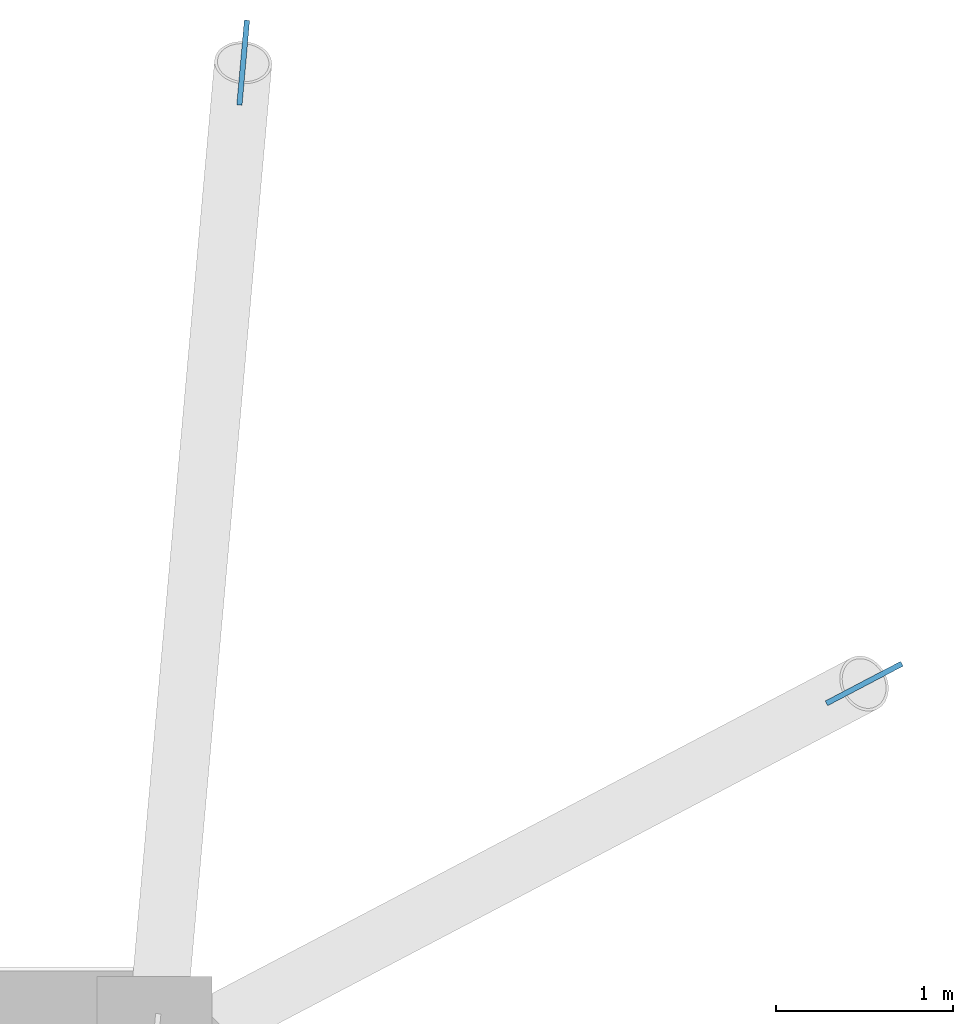
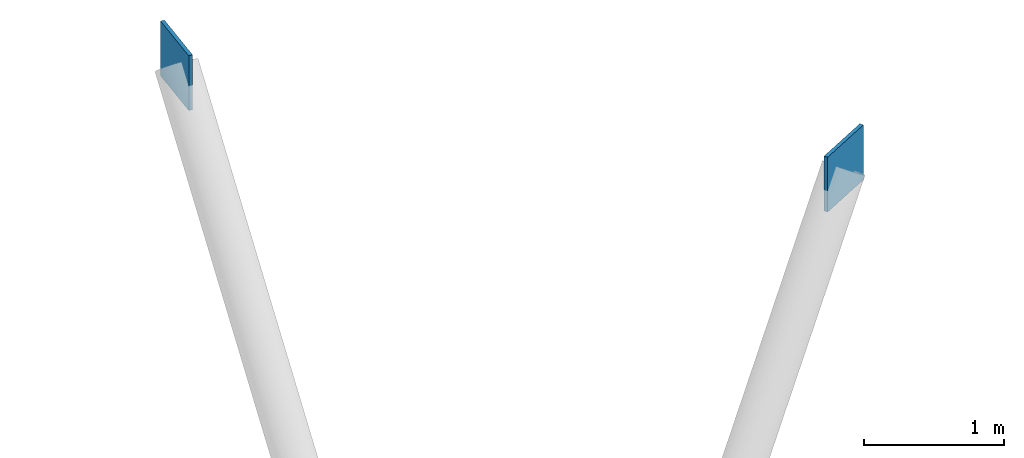
# One storey, part 4 of 11: 2 plates.
"""IFC4 building model written with IfcOpenShell, lengths in metres."""

from ifc_helpers import new_model, si_unit, direction, frame, origin, origin_2d, place, context, subcontext, project, spatial, rectangle, extrude, material, layer, layer_set, type_object, element, save


model = new_model("IFC4")

# Units and contexts
model_context = context("Model", 3, precision=1e-05, world=origin(), true_north=direction((0.0, 1.0)))
body_context = subcontext(model_context, "Body", "Model", "MODEL_VIEW")
ifc_project = project(units=[si_unit("LENGTHUNIT", "METRE"), si_unit("AREAUNIT", "SQUARE_METRE"), si_unit("VOLUMEUNIT", "CUBIC_METRE"), si_unit("PLANEANGLEUNIT", "RADIAN"), si_unit("MASSUNIT", "GRAM", prefix="KILO")], contexts=[model_context])

# Site, building, storey
site_placement = place(None, origin())
site = spatial("IfcSite", under=ifc_project, at=site_placement, CompositionType="ELEMENT")
building_placement = place(site_placement, origin())
building = spatial("IfcBuilding", under=site, at=building_placement, Name="Kranthara Brick Stack", CompositionType="ELEMENT")
storey_placement = place(building_placement, frame((0.0, 0.0, 244.89990234375)))
storey = spatial("IfcBuildingStorey", under=building, at=storey_placement, Name="L64", CompositionType="ELEMENT", Elevation=244.89990234375)

# Plates
ifc_material = material(Name="Steel S355", Category="steel")
ifc_layer = layer(ifc_material, 0.030029296875)
ifc_layer_set = layer_set([ifc_layer], Name="Steel S355")
plate_type = type_object("IfcPlateType", Name="PLT-GUSSET-30", PredefinedType="USERDEFINED", material=ifc_layer_set)
for number, where, z_axis, x_axis, name in (
    (1, (51.699951171875, 44.60009765625, 2.41015625), (0.0, 0.0, 1.0), (0.088894296866, 0.996041065411, 0.0), "L64 Brace and Strut End Connection Gusset Plate 120"),
    (2, (55.199951171875, 41.10009765625, 2.41015625), (0.0, 0.0, 1.0), (0.885393625754, 0.464842045725, 0.0), "L64 Brace and Strut End Connection Gusset Plate 122"),
):
    element("IfcPlate", number, at=place(storey_placement, frame(where, z_axis=z_axis, x_axis=x_axis)), inside=storey, type_object=plate_type, Name=name, ObjectType="GUSSET PLATE", PredefinedType="USERDEFINED", context=body_context, shape_type="SweptSolid", body=[
        extrude(rectangle(XDim=0.47998046875, YDim=0.030029296875, at=origin_2d()), origin(), (0.0, 0.0, 1.0), 0.47998046875),
    ])

save(model, "model.ifc")
